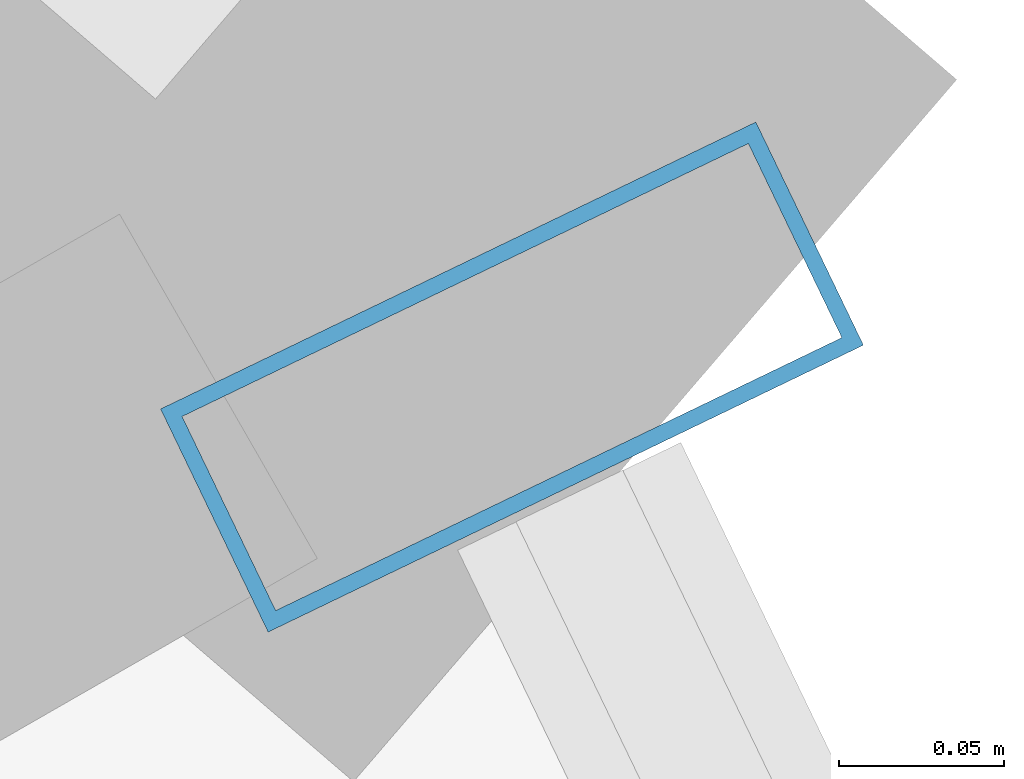
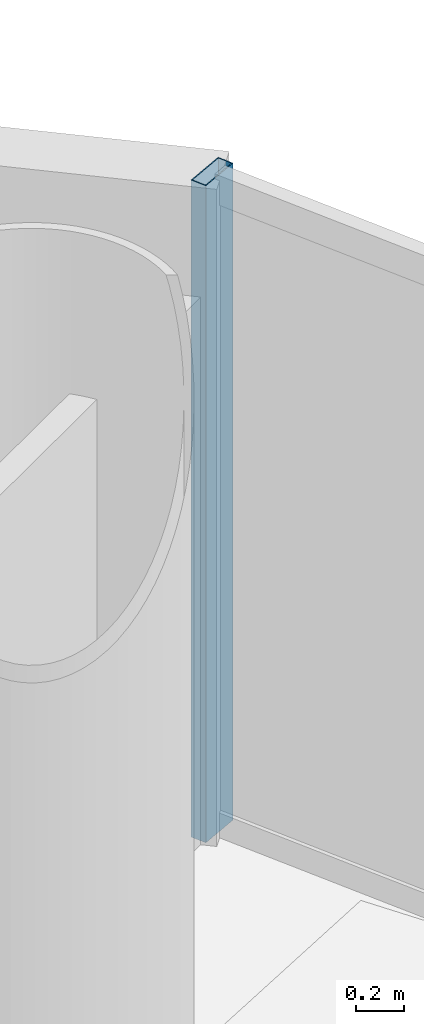
# One storey, part 18 of 26: 1 member, 1 element without a shape of its own.
"""IFC4 building model written with IfcOpenShell, lengths in metres."""

from ifc_helpers import new_model, si_unit, direction, frame, origin, origin_2d, place, context, subcontext, project, spatial, hollow_rectangle, extrude, source, transform, mapped, material, material_profile, profile_set, type_object, element, aggregate, save


model = new_model("IFC4")

# Units and contexts
model_context = context("Model", 3, precision=1e-05, world=origin(), true_north=direction((-0.2419218956, 0.970295726276)))
body_context = subcontext(model_context, "Body", "Model", "MODEL_VIEW")
ifc_project = project(units=[si_unit("LENGTHUNIT", "METRE"), si_unit("AREAUNIT", "SQUARE_METRE"), si_unit("VOLUMEUNIT", "CUBIC_METRE"), si_unit("PLANEANGLEUNIT", "RADIAN"), si_unit("MASSUNIT", "GRAM", prefix="KILO")], contexts=[model_context])

# Site, building, storey
site_placement = place(None, origin())
site = spatial("IfcSite", under=ifc_project, at=site_placement, CompositionType="ELEMENT")
building_placement = place(site_placement, origin())
building = spatial("IfcBuilding", under=site, at=building_placement, Name="Cobrevalo Terracotta Tower", CompositionType="ELEMENT")
storey_placement = place(building_placement, frame((0.0, 0.0, 175.0)))
storey = spatial("IfcBuildingStorey", under=building, at=storey_placement, Name="L46", CompositionType="ELEMENT", Elevation=175.0)

# Curtain wall, member
ifc_material = material(Name="Anodized aluminium", Category="aluminium")
curtain_wall_type = type_object("IfcCurtainWallType", Name="Mid-tower high-wind unitised curtain wall CW-U2", PredefinedType="NOTDEFINED", material=ifc_material)
curtain_wall_placement = place(storey_placement, origin())
curtain_wall = element("IfcCurtainWall", 1, at=curtain_wall_placement, inside=storey, type_object=curtain_wall_type, Name="L46 curtain wall CW-L46-S01", PredefinedType="NOTDEFINED")
ifc_material_profile = material_profile(ifc_material, hollow_rectangle(XDim=0.074951171875, YDim=0.199951171875, WallThickness=0.0048828125, at=origin_2d()), Name="CWM 75x200")
ifc_profile_set = profile_set([ifc_material_profile], Name="Anodized aluminium")
member_type = type_object("IfcMemberType", Name="Lower/mid tower unitised mullion 75x200", PredefinedType="MULLION", material=ifc_profile_set)
shared_shape = source(origin(), body_context, "Body", "SweptSolid", [
    extrude(hollow_rectangle(XDim=0.074951171875, YDim=0.199951171875, WallThickness=0.0048828125, at=origin_2d()), origin(), (0.0, 0.0, 1.0), 3.330078125),
])
member_placement = place(storey_placement, frame((58.114013671875, 38.30322265625, 0.0), z_axis=(0.0, 0.0, 1.0), x_axis=(-0.434209440271, 0.900811945957, 0.0)))
member = element("IfcMember", 2, at=member_placement, type_object=member_type, Name="CW-L46-S01 vertical mullion 03", PredefinedType="MULLION", context=body_context, shape_type="MappedRepresentation", body=[
    mapped(shared_shape, transform((0.0, 0.0, 0.0), scale=1.0)),
])
aggregate(curtain_wall, [member])

save(model, "model.ifc")
